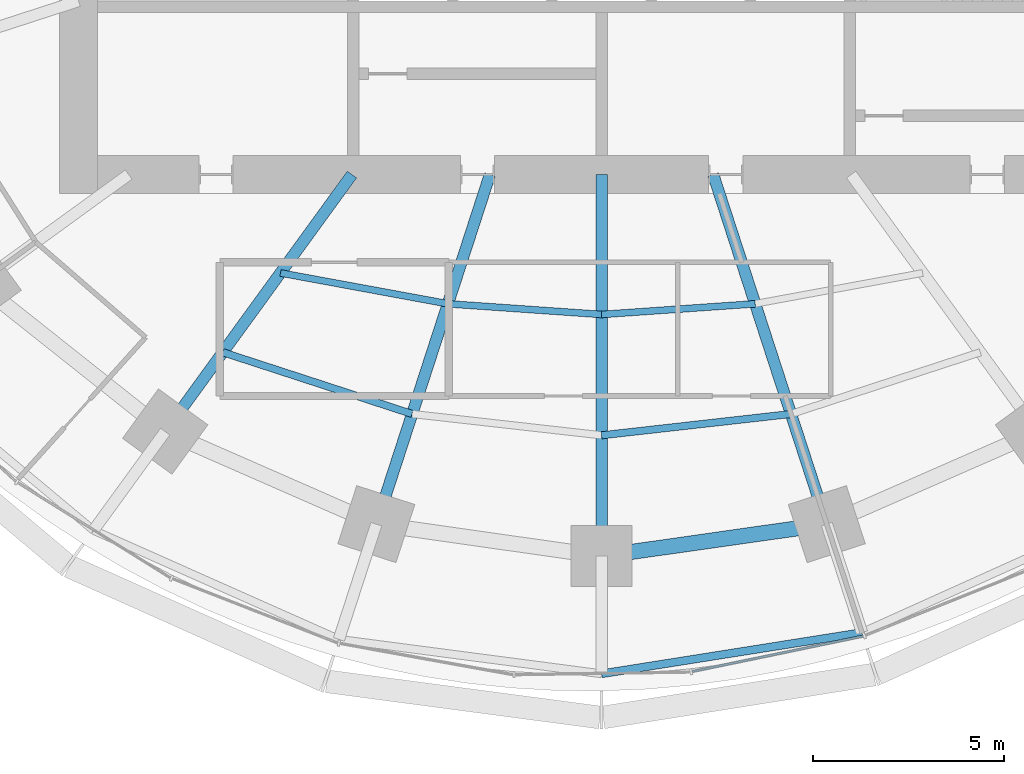
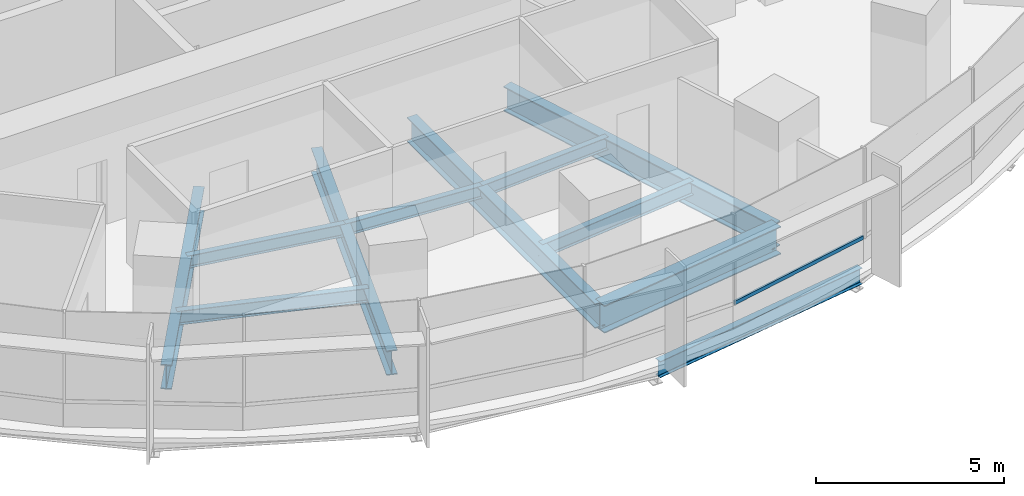
# One storey, part 3 of 14: 11 beams, 1 member, 1 element without a shape of its own.
"""IFC4 building model written with IfcOpenShell, lengths in metres."""

from ifc_helpers import new_model, si_unit, direction, frame, origin, origin_2d, place, context, subcontext, project, spatial, rectangle, i_section, extrude, material, material_profile, profile_set, type_object, element, aggregate, save


model = new_model("IFC4")

# Units and contexts
model_context = context("Model", 3, precision=1e-05, world=origin(), true_north=direction((0.0, 1.0)))
body_context = subcontext(model_context, "Body", "Model", "MODEL_VIEW")
ifc_project = project(units=[si_unit("LENGTHUNIT", "METRE"), si_unit("AREAUNIT", "SQUARE_METRE"), si_unit("VOLUMEUNIT", "CUBIC_METRE"), si_unit("PLANEANGLEUNIT", "RADIAN"), si_unit("MASSUNIT", "GRAM", prefix="KILO")], contexts=[model_context])

# Site, building, storey
site_placement = place(None, origin())
site = spatial("IfcSite", under=ifc_project, at=site_placement, CompositionType="ELEMENT")
building_placement = place(site_placement, origin())
building = spatial("IfcBuilding", under=site, at=building_placement, Name="Marramba Exchange Tower", CompositionType="ELEMENT")
storey_placement = place(building_placement, frame((0.0, 0.0, 100.199951171875)))
storey = spatial("IfcBuildingStorey", under=building, at=storey_placement, Name="L23", CompositionType="ELEMENT", Elevation=100.199951171875)

# Beams
ifc_material_1 = material(Name="Steel AS/NZS 3679.1 grade 300", Category="steel")
ifc_material_profile_1 = material_profile(ifc_material_1, i_section(OverallWidth=0.177978515625, OverallDepth=0.406005859375, WebThickness=0.0078125, FlangeThickness=0.0126953125, FilletRadius=0.011474609375, at=origin_2d()), Name="410UB59.7")
ifc_profile_set_1 = profile_set([ifc_material_profile_1], Name="Steel AS/NZS 3679.1 grade 300")
beam_type_1 = type_object("IfcBeamType", Name="Floor joist 410UB59.7", PredefinedType="JOIST", material=ifc_profile_set_1)
beam_1_placement = place(storey_placement, frame((-8.41162109375, -11.57763671875, -0.363037109375), z_axis=(0.983455754421, -0.181148500119, 0.0), x_axis=(0.181148500119, 0.983455754421, 0.0)))
element("IfcBeam", 1, at=beam_1_placement, inside=storey, type_object=beam_type_1, Name="Joist L23 bay 14 row 1", PredefinedType="JOIST", context=body_context, shape_type="SweptSolid", body=[
    extrude(i_section(OverallWidth=0.177978515625, OverallDepth=0.406005859375, WebThickness=0.0078125, FlangeThickness=0.0126953125, FilletRadius=0.011474609375, at=origin_2d()), origin(), (0.0, 0.0, 1.0), 4.4609375),
])
for number, where, z_axis, x_axis, name in (
    (2, (-4.0244140625, -12.3857421875, -0.363037109375), (0.99759625901, -0.069294328838, 0.0), (0.069294328838, 0.99759625901, 0.0), "Joist L23 bay 15 row 1"),
    (3, (0.0, -12.665283203125, -0.363037109375), (0.99759625901, 0.069294328838, 0.0), (-0.069294328838, 0.99759625901, 0.0), "Joist L23 bay 16 row 1"),
):
    element("IfcBeam", number, at=place(storey_placement, frame(where, z_axis=z_axis, x_axis=x_axis)), inside=storey, type_object=beam_type_1, Name=name, PredefinedType="JOIST", context=body_context, shape_type="SweptSolid", body=[
        extrude(i_section(OverallWidth=0.177978515625, OverallDepth=0.406005859375, WebThickness=0.0078125, FlangeThickness=0.0126953125, FilletRadius=0.011474609375, at=origin_2d()), origin(), (0.0, 0.0, 1.0), 4.0341796875),
    ])
ifc_material_profile_2 = material_profile(ifc_material_1, i_section(OverallWidth=0.18994140625, OverallDepth=0.4541015625, WebThickness=0.008544921875, FlangeThickness=0.0126953125, FilletRadius=0.011474609375, at=origin_2d()), Name="460UB67.1")
ifc_profile_set_2 = profile_set([ifc_material_profile_2], Name="Steel AS/NZS 3679.1 grade 300")
beam_type_2 = type_object("IfcBeamType", Name="Floor joist 460UB67.1", PredefinedType="JOIST", material=ifc_profile_set_2)
beam_2_placement = place(storey_placement, frame((-9.9208984375, -13.655029296875, -0.386962890625), z_axis=(0.950764024931, -0.309915744834, 0.0), x_axis=(0.309915744834, 0.950764024931, 0.0)))
element("IfcBeam", 4, at=beam_2_placement, inside=storey, type_object=beam_type_2, Name="Joist L23 bay 14 row 2", PredefinedType="JOIST", context=body_context, shape_type="SweptSolid", body=[
    extrude(i_section(OverallWidth=0.18994140625, OverallDepth=0.4541015625, WebThickness=0.008544921875, FlangeThickness=0.0126953125, FilletRadius=0.011474609375, at=origin_2d()), origin(), (0.0, 0.0, 1.0), 5.2158203125),
])
beam_3_placement = place(storey_placement, frame((0.0, -15.83056640625, -0.386962890625), z_axis=(0.993712018573, 0.111966174106, 0.0), x_axis=(-0.111966174106, 0.993712018573, 0.0)))
element("IfcBeam", 5, at=beam_3_placement, inside=storey, type_object=beam_type_2, Name="Joist L23 bay 16 row 2", PredefinedType="JOIST", context=body_context, shape_type="SweptSolid", body=[
    extrude(i_section(OverallWidth=0.18994140625, OverallDepth=0.4541015625, WebThickness=0.008544921875, FlangeThickness=0.0126953125, FilletRadius=0.011474609375, at=origin_2d()), origin(), (0.0, 0.0, 1.0), 4.993408203125),
])

# Curtain wall, member
ifc_material_2 = material(Name="Aluminium framing, bronze anodised", Category="aluminium")
curtain_wall_type = type_object("IfcCurtainWallType", Name="Office ribbon curtain wall", PredefinedType="USERDEFINED", material=ifc_material_2)
curtain_wall_placement = place(storey_placement, origin())
curtain_wall = element("IfcCurtainWall", 6, at=curtain_wall_placement, inside=storey, type_object=curtain_wall_type, Name="Curtain wall CW4 L23 F21-F25", ObjectType="RIBBON CURTAIN WALL", PredefinedType="USERDEFINED")
ifc_material_3 = material(Name="Aluminium transom, bronze anodised", Category="aluminium")
ifc_material_profile_3 = material_profile(ifc_material_3, rectangle(XDim=0.06005859375, YDim=0.1201171875, at=origin_2d()), Name="CW4 transom 60x120")
ifc_profile_set_3 = profile_set([ifc_material_profile_3], Name="Aluminium transom, bronze anodised")
member_type = type_object("IfcMemberType", Name="Office ribbon curtain wall transom", PredefinedType="USERDEFINED", material=ifc_profile_set_3)
member_placement = place(storey_placement, frame((2.374267578125, -22.017822265625, 0.830078125), z_axis=(0.979310422034, 0.202363774661, 0.0), x_axis=(-0.202363774661, 0.979310422034, 0.0)))
member = element("IfcMember", 7, at=member_placement, type_object=member_type, Name="CW4 sill transom", ObjectType="TRANSOM", PredefinedType="USERDEFINED", context=body_context, shape_type="SweptSolid", body=[
    extrude(rectangle(XDim=0.06005859375, YDim=0.1201171875, at=origin_2d()), origin(), (0.0, 0.0, 1.0), 4.57373046875),
])
aggregate(curtain_wall, [member])

# Beams
ifc_material_4 = material(Name="Steel AS/NZS 3679.2 grade 300", Category="steel")
ifc_material_profile_4 = material_profile(ifc_material_4, i_section(OverallWidth=0.300048828125, OverallDepth=0.800048828125, WebThickness=0.013916015625, FlangeThickness=0.031982421875, at=origin_2d()), Name="800WB192")
ifc_profile_set_4 = profile_set([ifc_material_profile_4], Name="Steel AS/NZS 3679.2 grade 300")
beam_type_3 = type_object("IfcBeamType", Name="Radial girder 800WB192", PredefinedType="BEAM", material=ifc_profile_set_4)
beam_4_placement = place(storey_placement, frame((-6.538818359375, -9.0, -0.56005859375), z_axis=(-0.587787877172, -0.809015087282, 0.0), x_axis=(0.809015087282, -0.587787877172, 0.0)))
element("IfcBeam", 8, at=beam_4_placement, inside=storey, type_object=beam_type_3, Name="Radial girder L23 TC14", PredefinedType="BEAM", context=body_context, shape_type="SweptSolid", body=[
    extrude(i_section(OverallWidth=0.300048828125, OverallDepth=0.800048828125, WebThickness=0.013916015625, FlangeThickness=0.031982421875, at=origin_2d()), origin(), (0.0, 0.0, 1.0), 8.322021484375),
])
beam_5_placement = place(storey_placement, frame((-2.92431640625, -9.0, -0.56005859375), z_axis=(-0.309022428985, -0.951054750466, 0.0), x_axis=(0.951054750466, -0.309022428985, 0.0)))
element("IfcBeam", 9, at=beam_5_placement, inside=storey, type_object=beam_type_3, Name="Radial girder L23 TC15", PredefinedType="BEAM", context=body_context, shape_type="SweptSolid", body=[
    extrude(i_section(OverallWidth=0.300048828125, OverallDepth=0.800048828125, WebThickness=0.013916015625, FlangeThickness=0.031982421875, at=origin_2d()), origin(), (0.0, 0.0, 1.0), 9.628173828125),
])
beam_6_placement = place(storey_placement, frame((0.0, -9.0, -0.56005859375), z_axis=(0.0, -1.0, 0.0), x_axis=(1.0, 0.0, 0.0)))
element("IfcBeam", 10, at=beam_6_placement, inside=storey, type_object=beam_type_3, Name="Radial girder L23 TC16", PredefinedType="BEAM", context=body_context, shape_type="SweptSolid", body=[
    extrude(i_section(OverallWidth=0.300048828125, OverallDepth=0.800048828125, WebThickness=0.013916015625, FlangeThickness=0.031982421875, at=origin_2d()), origin(), (0.0, 0.0, 1.0), 9.99609375),
])
beam_7_placement = place(storey_placement, frame((2.92431640625, -9.0, -0.56005859375), z_axis=(0.309022428985, -0.951054750466, 0.0), x_axis=(0.951054750466, 0.309022428985, 0.0)))
element("IfcBeam", 11, at=beam_7_placement, inside=storey, type_object=beam_type_3, Name="Radial girder L23 TC17", PredefinedType="BEAM", context=body_context, shape_type="SweptSolid", body=[
    extrude(i_section(OverallWidth=0.300048828125, OverallDepth=0.800048828125, WebThickness=0.013916015625, FlangeThickness=0.031982421875, at=origin_2d()), origin(), (0.0, 0.0, 1.0), 9.628173828125),
])
ifc_material_profile_5 = material_profile(ifc_material_4, i_section(OverallWidth=0.39990234375, OverallDepth=0.89990234375, WebThickness=0.01611328125, FlangeThickness=0.031982421875, at=origin_2d()), Name="900WB282")
ifc_profile_set_5 = profile_set([ifc_material_profile_5], Name="Steel AS/NZS 3679.2 grade 300")
beam_type_4 = type_object("IfcBeamType", Name="Ring beam 900WB282", PredefinedType="SPANDREL", material=ifc_profile_set_5)
beam_8_placement = place(storey_placement, frame((0.0, -18.99609375, -0.60986328125), z_axis=(0.990036163016, 0.140813337152, 0.0), x_axis=(-0.140813337152, 0.990036163016, 0.0)))
element("IfcBeam", 12, at=beam_8_placement, inside=storey, type_object=beam_type_4, Name="Ring beam L23 TC16-TC17", PredefinedType="SPANDREL", context=body_context, shape_type="SweptSolid", body=[
    extrude(i_section(OverallWidth=0.39990234375, OverallDepth=0.89990234375, WebThickness=0.01611328125, FlangeThickness=0.031982421875, at=origin_2d()), origin(), (0.0, 0.0, 1.0), 5.958984375),
])
ifc_material_profile_6 = material_profile(ifc_material_1, i_section(OverallWidth=0.208984375, OverallDepth=0.528076171875, WebThickness=0.009521484375, FlangeThickness=0.01318359375, FilletRadius=0.013916015625, at=origin_2d()), Name="530UB82.0")
ifc_profile_set_6 = profile_set([ifc_material_profile_6], Name="Steel AS/NZS 3679.1 grade 300")
beam_type_5 = type_object("IfcBeamType", Name="Slab edge beam 530UB82.0", PredefinedType="SPANDREL", material=ifc_profile_set_6)
beam_9_placement = place(storey_placement, frame((0.0, -22.076904296875, -0.424072265625), z_axis=(0.987705008555, 0.15632919137, 0.0), x_axis=(-0.15632919137, 0.987705008555, 0.0)))
element("IfcBeam", 13, at=beam_9_placement, inside=storey, type_object=beam_type_5, Name="Slab edge beam L23 TC16-TC17", PredefinedType="SPANDREL", context=body_context, shape_type="SweptSolid", body=[
    extrude(i_section(OverallWidth=0.208984375, OverallDepth=0.528076171875, WebThickness=0.009521484375, FlangeThickness=0.01318359375, FilletRadius=0.013916015625, at=origin_2d()), origin(), (0.0, 0.0, 1.0), 6.907470703125),
])

save(model, "model.ifc")
